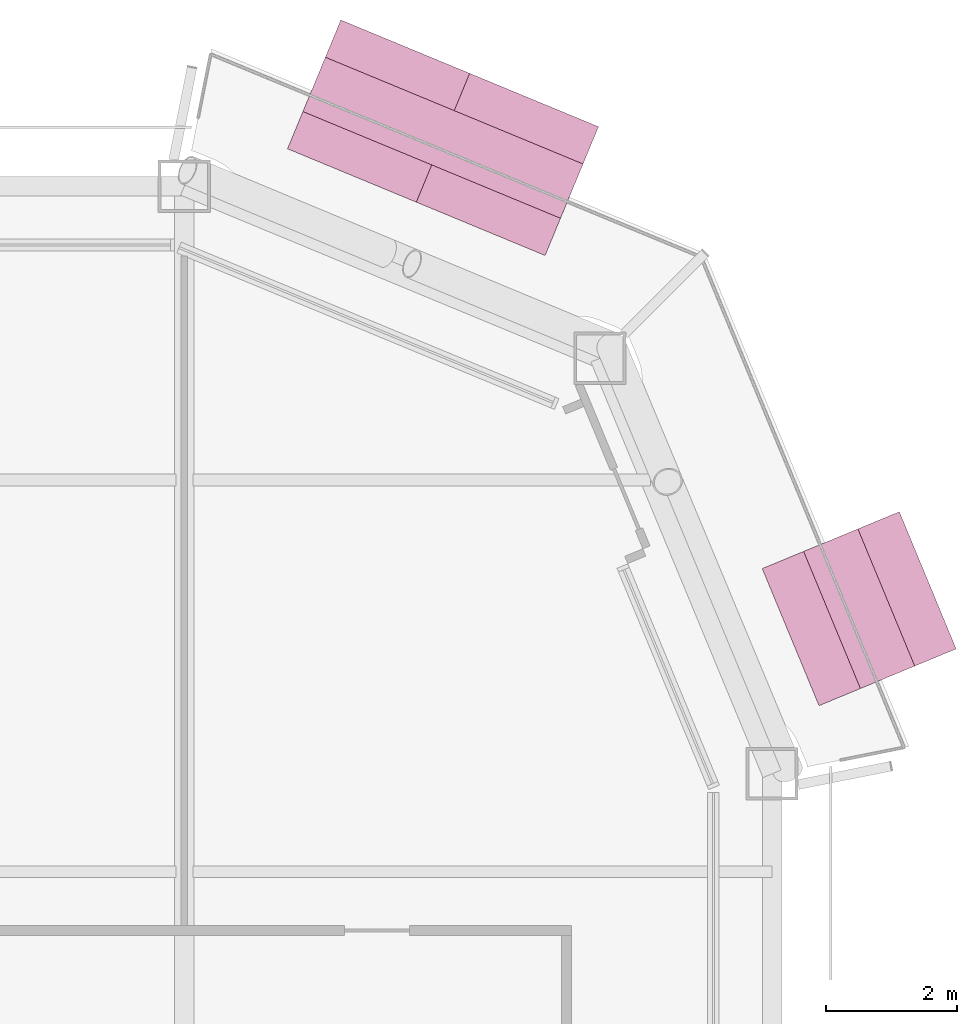
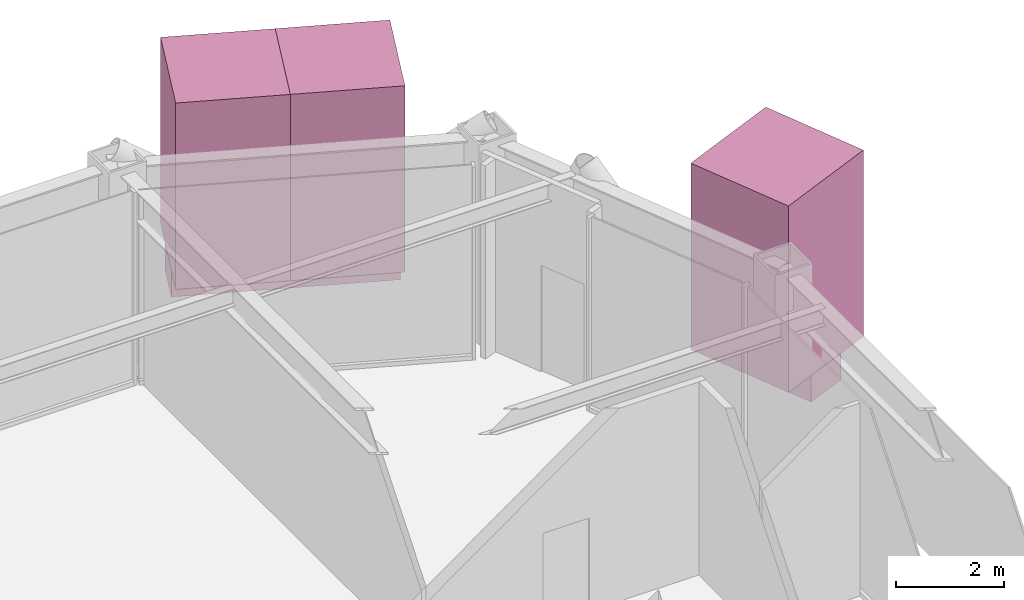
# One storey, part 23 of 23: 5 furnishings.
"""IFC4 building model written with IfcOpenShell, lengths in metres."""

from ifc_helpers import new_model, si_unit, direction, frame, origin, origin_2d, place, context, subcontext, project, spatial, rectangle, extrude, material, type_object, element, save


model = new_model("IFC4")

# Units and contexts
model_context = context("Model", 3, precision=1e-05, world=origin(), true_north=direction((0.0, 1.0)))
body_context = subcontext(model_context, "Body", "Model", "MODEL_VIEW")
ifc_project = project(units=[si_unit("LENGTHUNIT", "METRE"), si_unit("AREAUNIT", "SQUARE_METRE"), si_unit("VOLUMEUNIT", "CUBIC_METRE"), si_unit("PLANEANGLEUNIT", "RADIAN"), si_unit("MASSUNIT", "GRAM", prefix="KILO")], contexts=[model_context])

# Site, building, storey
site_placement = place(None, origin())
site = spatial("IfcSite", under=ifc_project, at=site_placement, CompositionType="ELEMENT")
building_placement = place(site_placement, origin())
building = spatial("IfcBuilding", under=site, at=building_placement, Name="Siwar Civic Tower", CompositionType="ELEMENT")
storey_placement = place(building_placement, frame((0.0, 0.0, 242.199951171875)))
storey = spatial("IfcBuildingStorey", under=building, at=storey_placement, Name="L52", CompositionType="ELEMENT", Elevation=242.199951171875)

# Furnishings
ifc_material_1 = material(Name="Planting soil and foliage")
furnishing_element_type_1 = type_object("IfcFurnishingElementType", Name="ENV-PLANTER", material=ifc_material_1)
furnishing_1_placement = place(storey_placement, frame((28.333984375, 20.5283203125, 0.0), z_axis=(0.0, 0.0, 1.0), x_axis=(-0.382683432365, 0.923879532511, 0.0)))
element("IfcFurnishingElement", 1, at=furnishing_1_placement, inside=storey, type_object=furnishing_element_type_1, Name="PLANTER NE 1", context=body_context, shape_type="SweptSolid", body=[
    extrude(rectangle(XDim=2.273193359375, YDim=0.89990234375, at=origin_2d()), origin(), (0.0, 0.0, 1.0), 0.60009765625),
])
furnishing_2_placement = place(storey_placement, frame((21.960205078125, 27.740966796875, 0.0), z_axis=(0.0, 0.0, 1.0), x_axis=(-0.923879532511, 0.382683432365, 0.0)))
element("IfcFurnishingElement", 2, at=furnishing_2_placement, inside=storey, type_object=furnishing_element_type_1, Name="PLANTER NE 2", context=body_context, shape_type="SweptSolid", body=[
    extrude(rectangle(XDim=4.270751953125, YDim=0.89990234375, at=origin_2d()), origin(), (0.0, 0.0, 1.0), 0.60009765625),
])
ifc_material_2 = material(Name="Planting soil and foliage")
furnishing_element_type_2 = type_object("IfcFurnishingElementType", Name="ENV-TREE", material=ifc_material_2)
furnishing_3_placement = place(storey_placement, frame((28.333984375, 20.5283203125, 0.60009765625), z_axis=(0.0, 0.0, 1.0), x_axis=(-0.382683432365, 0.923879532511, 0.0)))
element("IfcFurnishingElement", 3, at=furnishing_3_placement, inside=storey, type_object=furnishing_element_type_2, Name="PLANTER (TREE) NE 1.1", context=body_context, shape_type="SweptSolid", body=[
    extrude(rectangle(XDim=2.273193359375, YDim=2.273193359375, at=origin_2d()), origin(), (0.0, 0.0, 1.0), 4.199951171875),
])
for number, where, z_axis, x_axis, name in (
    (4, (22.94677734375, 27.332275390625, 0.60009765625), (0.0, 0.0, 1.0), (-0.923879532511, 0.382683432365, 0.0), "PLANTER (TREE) NE 2.1"),
    (5, (20.973876953125, 28.1494140625, 0.60009765625), (0.0, 0.0, 1.0), (-0.923879532511, 0.382683432365, 0.0), "PLANTER (TREE) NE 2.2"),
):
    element("IfcFurnishingElement", number, at=place(storey_placement, frame(where, z_axis=z_axis, x_axis=x_axis)), inside=storey, type_object=furnishing_element_type_2, Name=name, context=body_context, shape_type="SweptSolid", body=[
        extrude(rectangle(XDim=2.13525390625, YDim=2.13525390625, at=origin_2d()), origin(), (0.0, 0.0, 1.0), 4.199951171875),
    ])

save(model, "model.ifc")
